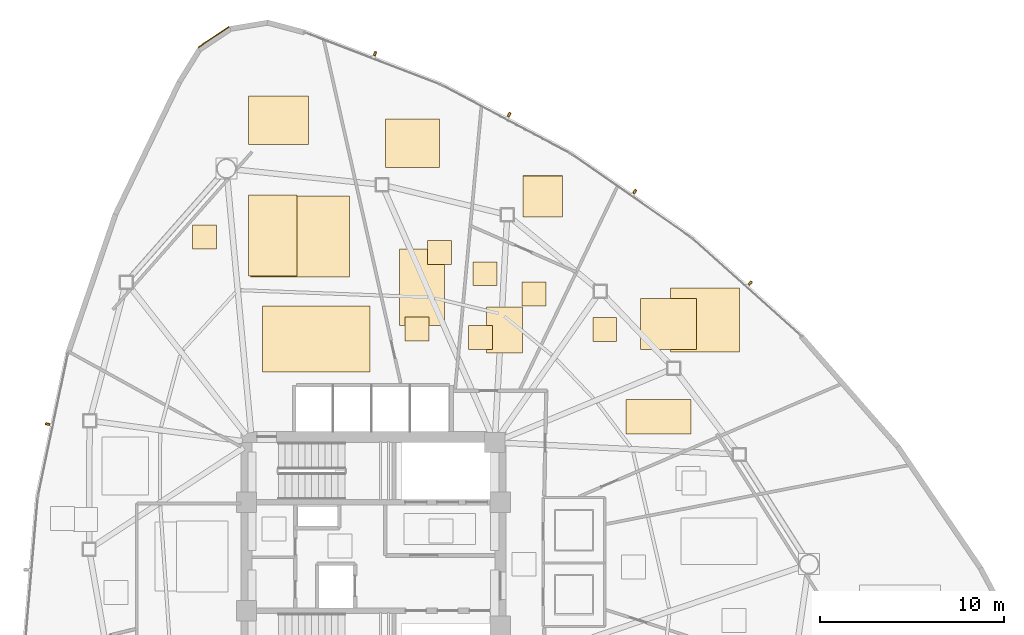
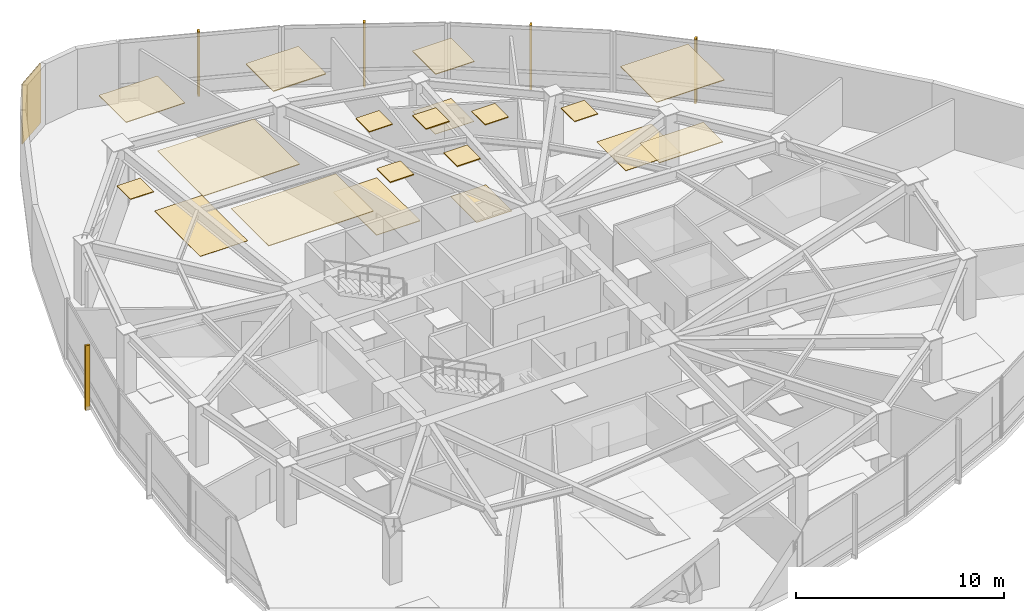
# One storey, part 17 of 17: 20 coverings, 5 shading devices.
"""IFC4 building model written with IfcOpenShell, lengths in metres."""

from ifc_helpers import new_model, si_unit, direction, frame, origin, origin_2d, place, context, subcontext, project, spatial, polyline, rectangle, outline, extrude, source, transform, mapped, material, layer, layer_set, type_object, type_shapes, element, save


model = new_model("IFC4")

# Units and contexts
model_context = context("Model", 3, precision=1e-05, world=origin(), true_north=direction((0.0, 1.0)))
body_context = subcontext(model_context, "Body", "Model", "MODEL_VIEW")
ifc_project = project(units=[si_unit("LENGTHUNIT", "METRE"), si_unit("AREAUNIT", "SQUARE_METRE"), si_unit("VOLUMEUNIT", "CUBIC_METRE"), si_unit("PLANEANGLEUNIT", "RADIAN"), si_unit("MASSUNIT", "GRAM", prefix="KILO")], contexts=[model_context])

# Site, building, storey
site_placement = place(None, origin())
site = spatial("IfcSite", under=ifc_project, at=site_placement, CompositionType="ELEMENT")
building_placement = place(site_placement, origin())
building = spatial("IfcBuilding", under=site, at=building_placement, Name="Tavelor Broadcast Tower", CompositionType="ELEMENT")
storey_placement = place(building_placement, frame((0.0, 0.0, 123.300048828125)))
storey = spatial("IfcBuildingStorey", under=building, at=storey_placement, Name="L28", CompositionType="ELEMENT", Elevation=123.300048828125)

# Coverings
ifc_material_1 = material(Name="Copper-Bronze Anodized Aluminium", Category="aluminium")
ifc_layer_1 = layer(ifc_material_1, 0.050048828125)
ifc_layer_set_1 = layer_set([ifc_layer_1], Name="Copper-Bronze Anodized Aluminium")
covering_type_1 = type_object("IfcCoveringType", Name="Champagne-Bronze Corner Pier Metal Cladding 50 mm", PredefinedType="CLADDING", material=ifc_layer_set_1)
covering_1_placement = place(storey_placement, frame((41.3173828125, 73.23046875, 0.02001953125), z_axis=(0.0, 0.0, 1.0), x_axis=(-0.831469612303, -0.55557023302, 0.0)))
element("IfcCovering", 1, at=covering_1_placement, inside=storey, type_object=covering_type_1, Name="L28 Champagne-Bronze Corner Cladding 03", PredefinedType="CLADDING", context=body_context, shape_type="SweptSolid", body=[
    extrude(rectangle(XDim=2.002685546875, YDim=0.050048828125, at=origin_2d()), origin(), (0.0, 0.0, 1.0), 3.510009765625),
])
ifc_material_2 = material(Name="Acoustic Nylon Carpet Tile")
ifc_layer_2 = layer(ifc_material_2, 0.02001953125)
ifc_layer_set_2 = layer_set([ifc_layer_2], Name="Acoustic Nylon Carpet Tile")
covering_type_2 = type_object("IfcCoveringType", Name="Heavy-Duty Acoustic Broadcast Carpet Tile 20 mm", PredefinedType="FLOORING", material=ifc_layer_set_2)
covering_2_placement = place(storey_placement, origin())
element("IfcCovering", 2, at=covering_2_placement, inside=storey, type_object=covering_type_2, Name="L28 Broadcast Floor Finish 0394", PredefinedType="FLOORING", context=body_context, shape_type="SweptSolid", body=[
    extrude(outline(polyline([(43.20849609375, 60.245849609375), (45.841064453125, 60.245849609375), (45.841064453125, 64.64501953125), (43.20849609375, 64.64501953125), (43.20849609375, 60.245849609375)])), origin(), (0.0, 0.0, 1.0), 0.02001953125),
])
covering_3_placement = place(storey_placement, origin())
element("IfcCovering", 3, at=covering_3_placement, inside=storey, type_object=covering_type_2, Name="L28 Broadcast Floor Finish 0396", PredefinedType="FLOORING", context=body_context, shape_type="SweptSolid", body=[
    extrude(outline(polyline([(58.122802734375, 63.46484375), (60.27734375, 63.46484375), (60.27734375, 65.689208984375), (58.122802734375, 65.689208984375), (58.122802734375, 63.46484375)])), origin(), (0.0, 0.0, 1.0), 0.02001953125),
])
covering_4_placement = place(storey_placement, origin())
element("IfcCovering", 4, at=covering_4_placement, inside=storey, type_object=covering_type_2, Name="L28 Broadcast Floor Finish 0397", PredefinedType="FLOORING", context=body_context, shape_type="SweptSolid", body=[
    extrude(outline(polyline([(64.516357421875, 56.245849609375), (67.556396484375, 56.245849609375), (67.556396484375, 59.02880859375), (64.516357421875, 59.02880859375), (64.516357421875, 56.245849609375)])), origin(), (0.0, 0.0, 1.0), 0.02001953125),
])
ifc_material_3 = material(Name="Acoustic Hardwood Studio Flooring", Category="wood")
ifc_layer_3 = layer(ifc_material_3, 0.034912109375)
ifc_layer_set_3 = layer_set([ifc_layer_3], Name="Acoustic Hardwood Studio Flooring")
covering_type_3 = type_object("IfcCoveringType", Name="Isolated Studio Acoustic Elastomeric Floor Finish 35 mm", PredefinedType="FLOORING", material=ifc_layer_set_3)
covering_5_placement = place(storey_placement, origin())
element("IfcCovering", 5, at=covering_5_placement, inside=storey, type_object=covering_type_3, Name="L28 Broadcast Floor Finish 0395", PredefinedType="FLOORING", context=body_context, shape_type="SweptSolid", body=[
    extrude(outline(polyline([(51.43359375, 57.54248046875), (53.85400390625, 57.54248046875), (53.85400390625, 61.69970703125), (51.43359375, 61.69970703125), (51.43359375, 57.54248046875)])), origin(), (0.0, 0.0, 1.0), 0.034912109375),
])
covering_6_placement = place(storey_placement, origin())
element("IfcCovering", 6, at=covering_6_placement, inside=storey, type_object=covering_type_3, Name="L28 Broadcast Floor Finish 0400", PredefinedType="FLOORING", context=body_context, shape_type="SweptSolid", body=[
    extrude(outline(polyline([(56.13720703125, 56.05859375), (58.094482421875, 56.05859375), (58.094482421875, 58.56640625), (56.13720703125, 58.56640625), (56.13720703125, 56.05859375)])), origin(), (0.0, 0.0, 1.0), 0.034912109375),
])
ifc_material_4 = material(Name="Acoustic Perforated Timber Baffle", Category="wood")
ifc_layer_4 = layer(ifc_material_4, 0.054931640625)
ifc_layer_set_4 = layer_set([ifc_layer_4], Name="Acoustic Perforated Timber Baffle")
covering_type_4 = type_object("IfcCoveringType", Name="Micro-Perforated Acoustic Baffle Studio Ceiling 55 mm", PredefinedType="CEILING", material=ifc_layer_set_4)
covering_7_placement = place(storey_placement, frame((0.0, 0.0, 3.494873046875)))
element("IfcCovering", 7, at=covering_7_placement, inside=storey, type_object=covering_type_4, Name="L28 Suspended Acoustic Ceiling 1123", PredefinedType="CEILING", context=body_context, shape_type="SweptSolid", body=[
    extrude(outline(polyline([(50.66650390625, 66.12939453125), (53.590576171875, 66.12939453125), (53.590576171875, 68.7880859375), (50.66650390625, 68.7880859375), (50.66650390625, 66.12939453125)])), origin(), (0.0, 0.0, 1.0), 0.05517578125),
])
covering_8_placement = place(storey_placement, frame((0.0, 0.0, 3.494873046875)))
element("IfcCovering", 8, at=covering_8_placement, inside=storey, type_object=covering_type_4, Name="L28 Suspended Acoustic Ceiling 1124", PredefinedType="CEILING", context=body_context, shape_type="SweptSolid", body=[
    extrude(outline(polyline([(52.95458984375, 60.876708984375), (54.254638671875, 60.876708984375), (54.254638671875, 62.1767578125), (52.95458984375, 62.1767578125), (52.95458984375, 60.876708984375)])), origin(), (0.0, 0.0, 1.0), 0.05517578125),
])
covering_9_placement = place(storey_placement, frame((0.0, 0.0, 3.494873046875)))
element("IfcCovering", 9, at=covering_9_placement, inside=storey, type_object=covering_type_4, Name="L28 Suspended Acoustic Ceiling 1125", PredefinedType="CEILING", context=body_context, shape_type="SweptSolid", body=[
    extrude(outline(polyline([(51.721923828125, 56.71337890625), (53.02197265625, 56.71337890625), (53.02197265625, 58.013427734375), (51.721923828125, 58.013427734375), (51.721923828125, 56.71337890625)])), origin(), (0.0, 0.0, 1.0), 0.05517578125),
])
covering_10_placement = place(storey_placement, frame((0.0, 0.0, 3.494873046875)))
element("IfcCovering", 10, at=covering_10_placement, inside=storey, type_object=covering_type_4, Name="L28 Suspended Acoustic Ceiling 1138", PredefinedType="CEILING", context=body_context, shape_type="SweptSolid", body=[
    extrude(outline(polyline([(55.174072265625, 56.261474609375), (56.47412109375, 56.261474609375), (56.47412109375, 57.5615234375), (55.174072265625, 57.5615234375), (55.174072265625, 56.261474609375)])), origin(), (0.0, 0.0, 1.0), 0.05517578125),
])
covering_11_placement = place(storey_placement, frame((0.0, 0.0, 3.494873046875)))
element("IfcCovering", 11, at=covering_11_placement, inside=storey, type_object=covering_type_4, Name="L28 Suspended Acoustic Ceiling 1139", PredefinedType="CEILING", context=body_context, shape_type="SweptSolid", body=[
    extrude(outline(polyline([(55.429443359375, 59.718017578125), (56.7294921875, 59.718017578125), (56.7294921875, 61.01806640625), (55.429443359375, 61.01806640625), (55.429443359375, 59.718017578125)])), origin(), (0.0, 0.0, 1.0), 0.05517578125),
])
covering_12_placement = place(storey_placement, frame((0.0, 0.0, 3.494873046875)))
element("IfcCovering", 12, at=covering_12_placement, inside=storey, type_object=covering_type_4, Name="L28 Suspended Acoustic Ceiling 1140", PredefinedType="CEILING", context=body_context, shape_type="SweptSolid", body=[
    extrude(outline(polyline([(58.07177734375, 58.608642578125), (59.371826171875, 58.608642578125), (59.371826171875, 59.90869140625), (58.07177734375, 59.90869140625), (58.07177734375, 58.608642578125)])), origin(), (0.0, 0.0, 1.0), 0.05517578125),
])
ifc_material_5 = material(Name="Acoustic Mineral Fibre Tile")
ifc_layer_5 = layer(ifc_material_5, 0.0400390625)
ifc_layer_set_5 = layer_set([ifc_layer_5], Name="Acoustic Mineral Fibre Tile")
covering_type_5 = type_object("IfcCoveringType", Name="Suspended Acoustic Mineral-Fibre Office Ceiling 40 mm", PredefinedType="CEILING", material=ifc_layer_set_5)
covering_13_placement = place(storey_placement, frame((0.0, 0.0, 3.510009765625)))
element("IfcCovering", 13, at=covering_13_placement, inside=storey, type_object=covering_type_5, Name="L28 Suspended Acoustic Ceiling 1119", PredefinedType="CEILING", context=body_context, shape_type="SweptSolid", body=[
    extrude(outline(polyline([(40.17724609375, 61.71240234375), (41.477294921875, 61.71240234375), (41.477294921875, 63.012451171875), (40.17724609375, 63.012451171875), (40.17724609375, 61.71240234375)])), origin(), (0.0, 0.0, 1.0), 0.0400390625),
])
covering_14_placement = place(storey_placement, frame((0.0, 0.0, 3.510009765625)))
element("IfcCovering", 14, at=covering_14_placement, inside=storey, type_object=covering_type_5, Name="L28 Suspended Acoustic Ceiling 1120", PredefinedType="CEILING", context=body_context, shape_type="SweptSolid", body=[
    extrude(outline(polyline([(43.332763671875, 60.19384765625), (48.69140625, 60.19384765625), (48.69140625, 64.583251953125), (43.332763671875, 64.583251953125), (43.332763671875, 60.19384765625)])), origin(), (0.0, 0.0, 1.0), 0.0400390625),
])
covering_15_placement = place(storey_placement, frame((0.0, 0.0, 3.510009765625)))
element("IfcCovering", 15, at=covering_15_placement, inside=storey, type_object=covering_type_5, Name="L28 Suspended Acoustic Ceiling 1121", PredefinedType="CEILING", context=body_context, shape_type="SweptSolid", body=[
    extrude(outline(polyline([(43.219970703125, 67.400390625), (46.484619140625, 67.400390625), (46.484619140625, 70.017578125), (43.219970703125, 70.017578125), (43.219970703125, 67.400390625)])), origin(), (0.0, 0.0, 1.0), 0.0400390625),
])
covering_16_placement = place(storey_placement, frame((0.0, 0.0, 3.510009765625)))
element("IfcCovering", 16, at=covering_16_placement, inside=storey, type_object=covering_type_5, Name="L28 Suspended Acoustic Ceiling 1122", PredefinedType="CEILING", context=body_context, shape_type="SweptSolid", body=[
    extrude(outline(polyline([(43.98486328125, 55.01611328125), (49.807861328125, 55.01611328125), (49.807861328125, 58.62353515625), (43.98486328125, 58.62353515625), (43.98486328125, 55.01611328125)])), origin(), (0.0, 0.0, 1.0), 0.0400390625),
])
covering_17_placement = place(storey_placement, frame((0.0, 0.0, 3.510009765625)))
element("IfcCovering", 17, at=covering_17_placement, inside=storey, type_object=covering_type_5, Name="L28 Suspended Acoustic Ceiling 1126", PredefinedType="CEILING", context=body_context, shape_type="SweptSolid", body=[
    extrude(outline(polyline([(58.130615234375, 63.45458984375), (60.280517578125, 63.45458984375), (60.280517578125, 65.708251953125), (58.130615234375, 65.708251953125), (58.130615234375, 63.45458984375)])), origin(), (0.0, 0.0, 1.0), 0.0400390625),
])
covering_18_placement = place(storey_placement, frame((0.0, 0.0, 3.510009765625)))
element("IfcCovering", 18, at=covering_18_placement, inside=storey, type_object=covering_type_5, Name="L28 Suspended Acoustic Ceiling 1127", PredefinedType="CEILING", context=body_context, shape_type="SweptSolid", body=[
    extrude(outline(polyline([(66.148193359375, 56.10498046875), (69.911376953125, 56.10498046875), (69.911376953125, 59.582275390625), (66.148193359375, 59.582275390625), (66.148193359375, 56.10498046875)])), origin(), (0.0, 0.0, 1.0), 0.0400390625),
])
covering_19_placement = place(storey_placement, frame((0.0, 0.0, 3.510009765625)))
element("IfcCovering", 19, at=covering_19_placement, inside=storey, type_object=covering_type_5, Name="L28 Suspended Acoustic Ceiling 1128", PredefinedType="CEILING", context=body_context, shape_type="SweptSolid", body=[
    extrude(outline(polyline([(63.73876953125, 51.648193359375), (67.26220703125, 51.648193359375), (67.26220703125, 53.531494140625), (63.73876953125, 53.531494140625), (63.73876953125, 51.648193359375)])), origin(), (0.0, 0.0, 1.0), 0.0400390625),
])
covering_20_placement = place(storey_placement, frame((0.0, 0.0, 3.510009765625)))
element("IfcCovering", 20, at=covering_20_placement, inside=storey, type_object=covering_type_5, Name="L28 Suspended Acoustic Ceiling 1129", PredefinedType="CEILING", context=body_context, shape_type="SweptSolid", body=[
    extrude(outline(polyline([(61.929931640625, 56.683837890625), (63.22998046875, 56.683837890625), (63.22998046875, 57.98388671875), (61.929931640625, 57.98388671875), (61.929931640625, 56.683837890625)])), origin(), (0.0, 0.0, 1.0), 0.0400390625),
])

# Shading devices
ifc_material_6 = material(Name="Kiln-Fired Glazed Terracotta", Category="masonry")
shading_device_type = type_object("IfcShadingDeviceType", Name="Extruded Terracotta Baguette Sun-Screen 110x240", PredefinedType="JALOUSIE", material=ifc_material_6)
shared_shape = source(origin(), body_context, "Body", "SweptSolid", [
    extrude(rectangle(XDim=0.110107421875, YDim=0.239990234375, at=origin_2d()), origin(), (0.0, 0.0, 1.0), 3.7900390625),
])
type_shapes(shading_device_type, [shared_shape])
for number, where, z_axis, x_axis, name in (
    (21, (32.28662109375, 52.195068359375, -0.260009765625), (0.0, 0.0, 1.0), (-0.205691811048, -0.978616819224, 0.0), "L28 Terracotta Baguette Fin 265"),
    (22, (70.48779296875, 59.8603515625, -0.260009765625), (0.0, 0.0, 1.0), (-0.744544618419, 0.667572701047, 0.0), "L28 Terracotta Baguette Fin 273"),
    (23, (64.21142578125, 64.8349609375, -0.260009765625), (0.0, 0.0, 1.0), (-0.819952109325, 0.572432125595, 0.0), "L28 Terracotta Baguette Fin 274"),
    (24, (57.379150390625, 69.013427734375, -0.260009765625), (0.0, 0.0, 1.0), (-0.883193286551, 0.469009188174, 0.0), "L28 Terracotta Baguette Fin 275"),
    (25, (50.09130859375, 72.33447265625, -0.260009765625), (0.0, 0.0, 1.0), (-0.93345527561, 0.358693808751, 0.0), "L28 Terracotta Baguette Fin 276"),
):
    element("IfcShadingDevice", number, at=place(storey_placement, frame(where, z_axis=z_axis, x_axis=x_axis)), inside=storey, type_object=shading_device_type, Name=name, PredefinedType="JALOUSIE", context=body_context, shape_type="MappedRepresentation", body=[
        mapped(shared_shape, transform((0.0, 0.0, 0.0), scale=1.0)),
    ])

save(model, "model.ifc")
